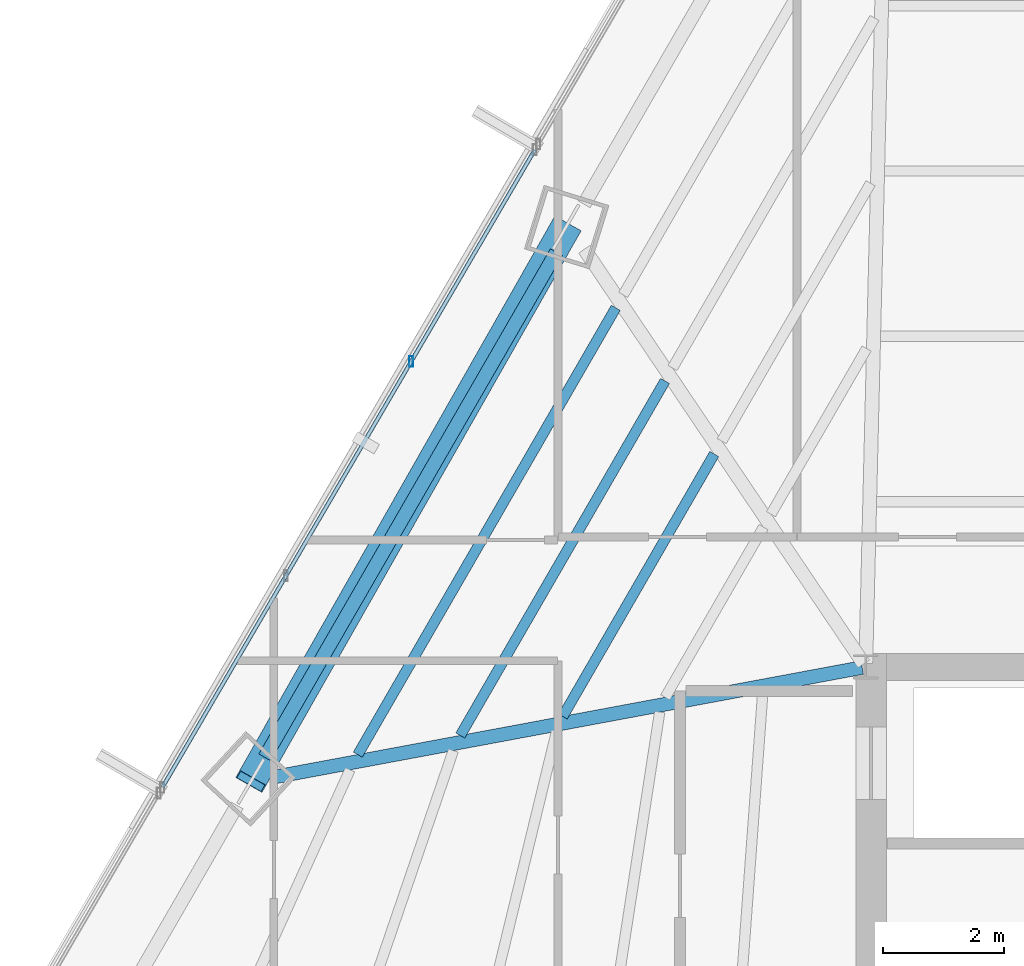
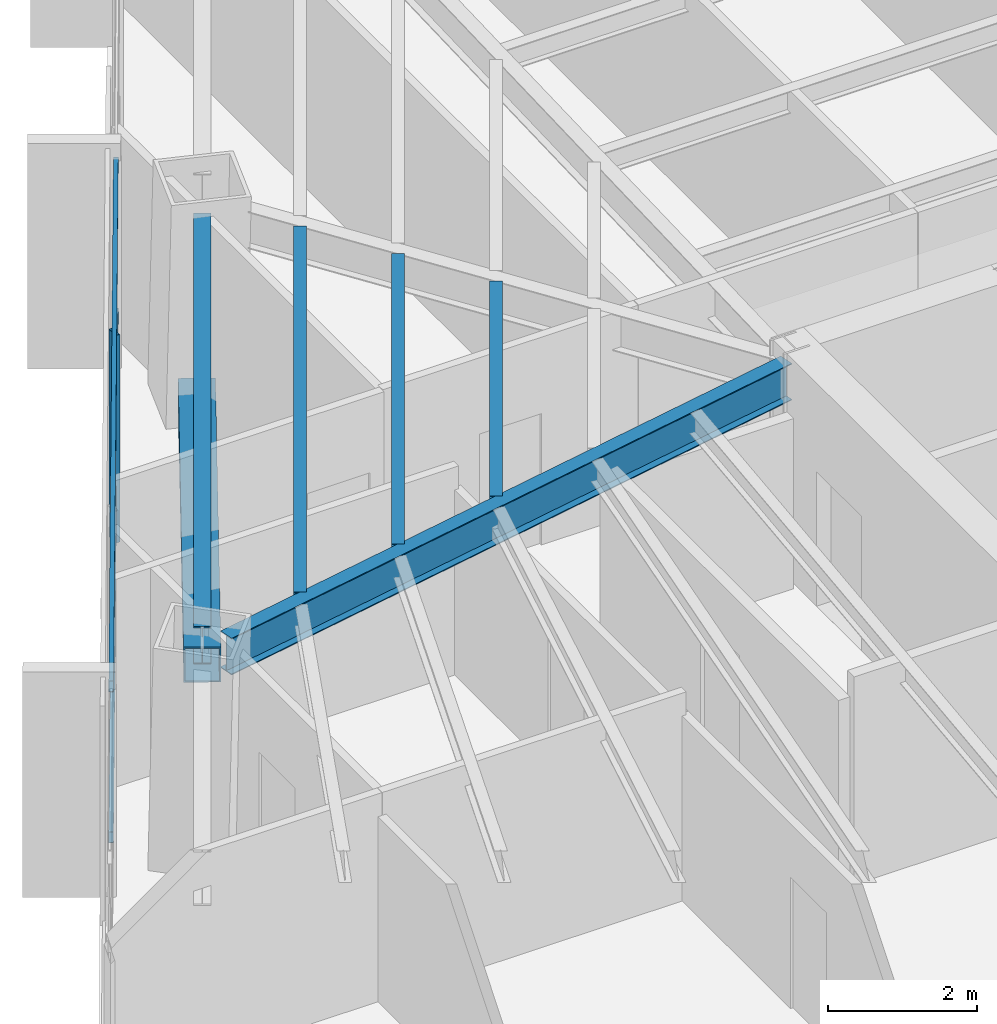
# One storey, part 14 of 37: 5 beams, 4 members, 1 element without a shape of its own.
"""IFC4 building model written with IfcOpenShell, lengths in metres."""

from ifc_helpers import new_model, si_unit, direction, frame, origin, origin_2d, place, context, subcontext, project, spatial, hollow_rectangle, i_section, extrude, source, transform, mapped, material, material_profile, profile_set, type_object, type_shapes, element, aggregate, save


model = new_model("IFC4")

# Units and contexts
model_context = context("Model", 3, precision=1e-05, world=origin(), true_north=direction((0.0, 1.0)))
body_context = subcontext(model_context, "Body", "Model", "MODEL_VIEW")
ifc_project = project(units=[si_unit("LENGTHUNIT", "METRE"), si_unit("AREAUNIT", "SQUARE_METRE"), si_unit("VOLUMEUNIT", "CUBIC_METRE"), si_unit("PLANEANGLEUNIT", "RADIAN"), si_unit("MASSUNIT", "GRAM", prefix="KILO")], contexts=[model_context])

# Site, building, storey
site_placement = place(None, origin())
site = spatial("IfcSite", under=ifc_project, at=site_placement, CompositionType="ELEMENT")
building_placement = place(site_placement, origin())
building = spatial("IfcBuilding", under=site, at=building_placement, Name="Caelisora Broadcast Tower", CompositionType="ELEMENT")
storey_placement = place(building_placement, frame((0.0, 0.0, 116.35009765625)))
storey = spatial("IfcBuildingStorey", under=building, at=storey_placement, Name="L30", CompositionType="ELEMENT", Elevation=116.35009765625)

# Beams
ifc_material_1 = material(Name="Steel Grade 350 (AS/NZS 3679.1)", Category="steel")
ifc_material_profile_1 = material_profile(ifc_material_1, i_section(OverallWidth=0.22900390625, OverallDepth=0.611572265625, WebThickness=0.011962890625, FlangeThickness=0.01953125, at=origin_2d()), Name="Steel Grade 350 (AS/NZS 3679.1)")
ifc_profile_set_1 = profile_set([ifc_material_profile_1], Name="Steel Grade 350 (AS/NZS 3679.1)")
beam_type_1 = type_object("IfcBeamType", Name="PG03", PredefinedType="BEAM", material=ifc_profile_set_1)
shared_shape_1 = source(origin(), body_context, "Body", "SweptSolid", [
    extrude(i_section(OverallWidth=0.22900390625, OverallDepth=0.611572265625, WebThickness=0.011962890625, FlangeThickness=0.01953125, at=origin_2d()), origin(), (0.0, 0.0, 1.0), 9.664306640625),
])
type_shapes(beam_type_1, [shared_shape_1])
beam_1_placement = place(storey_placement, frame((25.373291015625, 36.86962890625, 3.093994140625), z_axis=(-0.4999863219, -0.866033300695, 0.0), x_axis=(0.866033300695, -0.4999863219, 0.0)))
element("IfcBeam", 1, at=beam_1_placement, inside=storey, type_object=beam_type_1, Name="L30 beam PG03", PredefinedType="BEAM", context=body_context, shape_type="MappedRepresentation", body=[
    mapped(shared_shape_1, transform((0.0, 0.0, 0.0), scale=1.0)),
])
ifc_material_profile_2 = material_profile(ifc_material_1, i_section(OverallWidth=0.22802734375, OverallDepth=0.602294921875, WebThickness=0.010498046875, FlangeThickness=0.014892578125, at=origin_2d()), Name="Steel Grade 350 (AS/NZS 3679.1)")
ifc_profile_set_2 = profile_set([ifc_material_profile_2], Name="Steel Grade 350 (AS/NZS 3679.1)")
beam_type_2 = type_object("IfcBeamType", Name="PG04", PredefinedType="BEAM", material=ifc_profile_set_2)
shared_shape_2 = source(origin(), body_context, "Body", "SweptSolid", [
    extrude(i_section(OverallWidth=0.22802734375, OverallDepth=0.602294921875, WebThickness=0.010498046875, FlangeThickness=0.014892578125, at=origin_2d()), origin(), (0.0, 0.0, 1.0), 9.884033203125),
])
type_shapes(beam_type_2, [shared_shape_2])
beam_2_placement = place(storey_placement, frame((30.44091796875, 29.989013671875, 3.098876953125), z_axis=(-0.983084051814, -0.18315498101, 0.0), x_axis=(0.18315498101, -0.983084051814, 0.0)))
element("IfcBeam", 2, at=beam_2_placement, inside=storey, type_object=beam_type_2, Name="L30 beam PG04", PredefinedType="BEAM", context=body_context, shape_type="MappedRepresentation", body=[
    mapped(shared_shape_2, transform((0.0, 0.0, 0.0), scale=1.0)),
])
ifc_material_profile_3 = material_profile(ifc_material_1, i_section(OverallWidth=0.172119140625, OverallDepth=0.358642578125, WebThickness=0.008056640625, FlangeThickness=0.012939453125, at=origin_2d()), Name="Steel Grade 350 (AS/NZS 3679.1)")
ifc_profile_set_3 = profile_set([ifc_material_profile_3], Name="Steel Grade 350 (AS/NZS 3679.1)")
beam_type_3 = type_object("IfcBeamType", Name="SB02", PredefinedType="JOIST", material=ifc_profile_set_3)
shared_shape_3 = source(origin(), body_context, "Body", "SweptSolid", [
    extrude(i_section(OverallWidth=0.172119140625, OverallDepth=0.358642578125, WebThickness=0.008056640625, FlangeThickness=0.012939453125, at=origin_2d()), origin(), (0.0, 0.0, 1.0), 5.021240234375),
])
beam_3_placement = place(storey_placement, frame((27.98974609375, 33.526611328125, 3.220703125), z_axis=(-0.500029696462, -0.866008257845, 0.0), x_axis=(0.866008257845, -0.500029696462, 0.0)))
element("IfcBeam", 3, at=beam_3_placement, inside=storey, type_object=beam_type_3, Name="L30 beam SB02", PredefinedType="JOIST", context=body_context, shape_type="MappedRepresentation", body=[
    mapped(shared_shape_3, transform((0.0, 0.0, 0.0), scale=1.0)),
])
shared_shape_4 = source(origin(), body_context, "Body", "SweptSolid", [
    extrude(i_section(OverallWidth=0.172119140625, OverallDepth=0.358642578125, WebThickness=0.008056640625, FlangeThickness=0.012939453125, at=origin_2d()), origin(), (0.0, 0.0, 1.0), 6.78515625),
])
beam_4_placement = place(storey_placement, frame((27.173583984375, 34.738037109375, 3.220703125), z_axis=(-0.499993425452, -0.866029199568, 0.0), x_axis=(0.866029199568, -0.499993425452, 0.0)))
element("IfcBeam", 4, at=beam_4_placement, inside=storey, type_object=beam_type_3, Name="L30 beam SB02", PredefinedType="JOIST", context=body_context, shape_type="MappedRepresentation", body=[
    mapped(shared_shape_4, transform((0.0, 0.0, 0.0), scale=1.0)),
])
shared_shape_5 = source(origin(), body_context, "Body", "SweptSolid", [
    extrude(i_section(OverallWidth=0.172119140625, OverallDepth=0.358642578125, WebThickness=0.008056640625, FlangeThickness=0.012939453125, at=origin_2d()), origin(), (0.0, 0.0, 1.0), 8.549560546875),
])
type_shapes(beam_type_3, [shared_shape_3, shared_shape_4, shared_shape_5])
beam_5_placement = place(storey_placement, frame((26.357666015625, 35.949462890625, 3.220703125), z_axis=(-0.500014957246, -0.866016768042, 0.0), x_axis=(0.866016768042, -0.500014957246, 0.0)))
element("IfcBeam", 5, at=beam_5_placement, inside=storey, type_object=beam_type_3, Name="L30 beam SB02", PredefinedType="JOIST", context=body_context, shape_type="MappedRepresentation", body=[
    mapped(shared_shape_5, transform((0.0, 0.0, 0.0), scale=1.0)),
])

# Member
ifc_material_2 = material(Name="Steel Grade 450 L15 (AS/NZS 3678)", Category="steel")
ifc_material_profile_4 = material_profile(ifc_material_2, hollow_rectangle(XDim=0.5, YDim=0.5, WallThickness=0.02001953125, at=origin_2d()), Name="Steel Grade 450 L15 (AS/NZS 3678)")
ifc_profile_set_4 = profile_set([ifc_material_profile_4], Name="Steel Grade 450 L15 (AS/NZS 3678)")
member_type_1 = type_object("IfcMemberType", Name="BR02", PredefinedType="BRACE", material=ifc_profile_set_4)
shared_shape_6 = source(origin(), body_context, "Body", "SweptSolid", [
    extrude(hollow_rectangle(XDim=0.5, YDim=0.5, WallThickness=0.02001953125, at=origin_2d()), origin(), (0.0, 0.0, 1.0), 10.98583984375),
])
type_shapes(member_type_1, [shared_shape_6])
member_1_placement = place(storey_placement, frame((25.53271484375, 37.2900390625, 0.099853515625), z_axis=(-0.475291084581, -0.836376301876, 0.273080696093), x_axis=(0.869422051975, -0.494070132207, 0.0)))
element("IfcMember", 6, at=member_1_placement, inside=storey, type_object=member_type_1, Name="L30 perimeter brace BR02", PredefinedType="BRACE", context=body_context, shape_type="MappedRepresentation", body=[
    mapped(shared_shape_6, transform((0.0, 0.0, 0.0), scale=1.0)),
])

# Curtain wall, members
ifc_material_3 = material(Name="Unitised Aluminium Insulated Shadow-Box Spandrel Curtain Wall", Category="aluminium")
curtain_wall_type = type_object("IfcCurtainWallType", Name="CW-SP1", PredefinedType="NOTDEFINED", material=ifc_material_3)
curtain_wall_placement = place(storey_placement, origin())
curtain_wall = element("IfcCurtainWall", 7, at=curtain_wall_placement, inside=storey, type_object=curtain_wall_type, Name="L30 curtain wall CW-SP1", PredefinedType="NOTDEFINED")
ifc_material_4 = material(Name="Aluminium 6063-T6 Anodised Terracotta Bronze", Category="aluminium")
ifc_material_profile_5 = material_profile(ifc_material_4, hollow_rectangle(XDim=0.06494140625, YDim=0.179931640625, WallThickness=0.00341796875, at=origin_2d()), Name="Aluminium 6063-T6 Anodised Terracotta Bronze")
ifc_profile_set_5 = profile_set([ifc_material_profile_5], Name="Aluminium 6063-T6 Anodised Terracotta Bronze")
member_type_2 = type_object("IfcMemberType", Name="CWM-02", PredefinedType="MULLION", material=ifc_profile_set_5)
shared_shape_7 = source(origin(), body_context, "Body", "SweptSolid", [
    extrude(hollow_rectangle(XDim=0.06494140625, YDim=0.179931640625, WallThickness=0.00341796875, at=origin_2d()), origin(), (0.0, 0.0, 1.0), 3.39990234375),
])
type_shapes(member_type_2, [shared_shape_7])
member_2_placement = place(storey_placement, frame((22.9677734375, 35.060546875, 0.0), z_axis=(0.0, 0.0, 1.0), x_axis=(1.0, 0.0, 0.0)))
member_2 = element("IfcMember", 8, at=member_2_placement, type_object=member_type_2, Name="L30-CW-B10 mullion #2", PredefinedType="MULLION", context=body_context, shape_type="MappedRepresentation", body=[
    mapped(shared_shape_7, transform((0.0, 0.0, 0.0), scale=1.0)),
])
ifc_material_profile_6 = material_profile(ifc_material_4, hollow_rectangle(XDim=0.06494140625, YDim=0.179931640625, WallThickness=0.00341796875, at=origin_2d()), Name="Aluminium 6063-T6 Anodised Terracotta Bronze")
ifc_profile_set_6 = profile_set([ifc_material_profile_6], Name="Aluminium 6063-T6 Anodised Terracotta Bronze")
member_type_3 = type_object("IfcMemberType", Name="CWT-01", PredefinedType="USERDEFINED", material=ifc_profile_set_6)
shared_shape_8 = source(origin(), body_context, "Body", "SweptSolid", [
    extrude(hollow_rectangle(XDim=0.06494140625, YDim=0.179931640625, WallThickness=0.00341796875, at=origin_2d()), origin(), (0.0, 0.0, 1.0), 12.24169921875),
])
type_shapes(member_type_3, [shared_shape_8])
member_3_placement = place(storey_placement, frame((18.84228515625, 27.999755859375, 0.849853515625), z_axis=(0.504468587237, 0.86343004609, 0.0), x_axis=(-0.86343004609, 0.504468587237, 0.0)))
member_3 = element("IfcMember", 9, at=member_3_placement, type_object=member_type_3, Name="L30-CW-B10 transom #1", ObjectType="TRANSOM", PredefinedType="USERDEFINED", context=body_context, shape_type="MappedRepresentation", body=[
    mapped(shared_shape_8, transform((0.0, 0.0, 0.0), scale=1.0)),
])
member_4_placement = place(storey_placement, frame((18.84228515625, 27.999755859375, 3.31982421875), z_axis=(0.504468587237, 0.86343004609, 0.0), x_axis=(-0.86343004609, 0.504468587237, 0.0)))
member_4 = element("IfcMember", 10, at=member_4_placement, type_object=member_type_3, Name="L30-CW-B10 transom #2", ObjectType="TRANSOM", PredefinedType="USERDEFINED", context=body_context, shape_type="MappedRepresentation", body=[
    mapped(shared_shape_8, transform((0.0, 0.0, 0.0), scale=1.0)),
])
aggregate(curtain_wall, [member_2, member_3, member_4])

save(model, "model.ifc")
